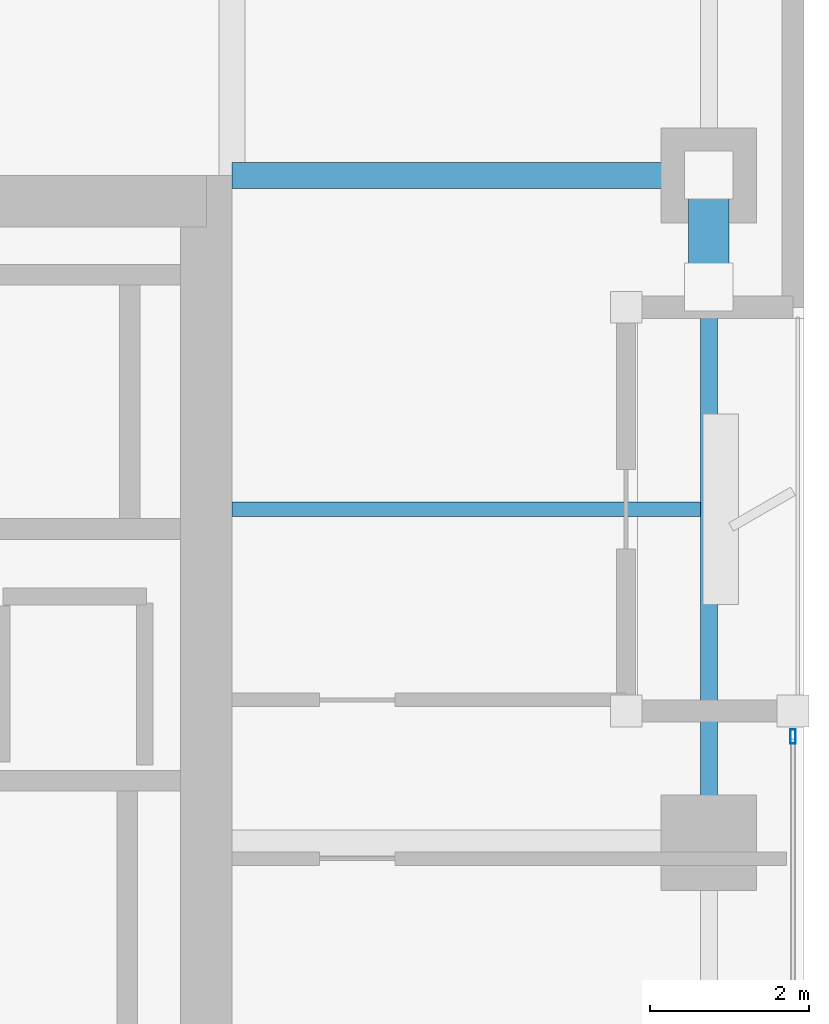
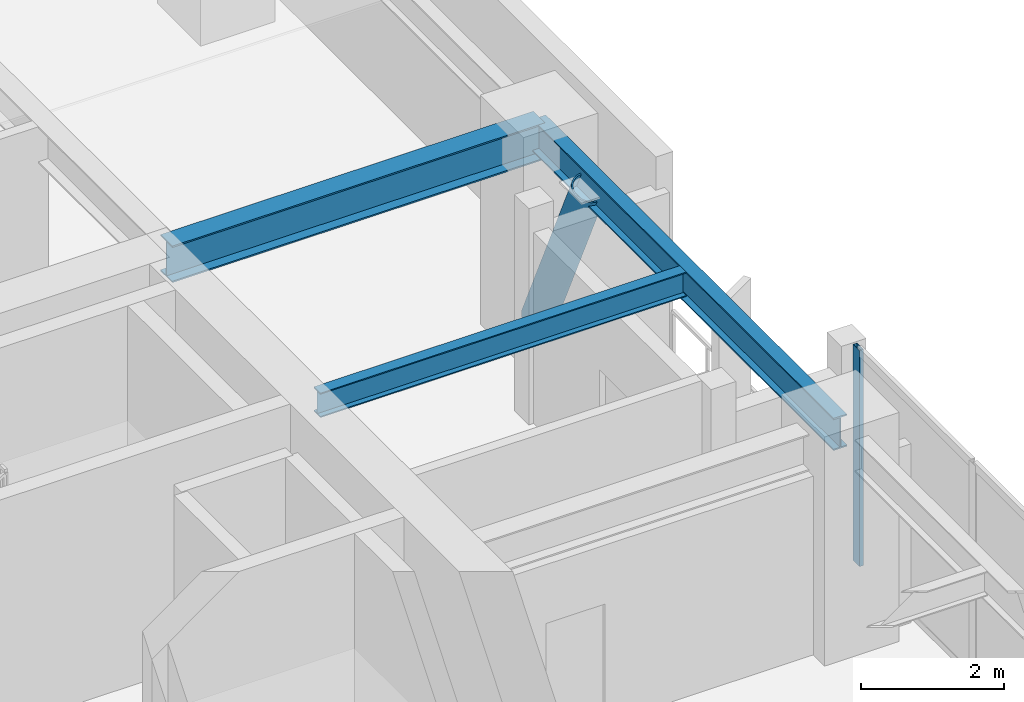
# One storey, part 11 of 30: 3 beams, 2 members, 1 element without a shape of its own.
"""IFC4 building model written with IfcOpenShell, lengths in metres."""

from ifc_helpers import new_model, si_unit, direction, frame, origin, origin_2d, place, context, subcontext, project, spatial, hollow_rectangle, hollow_circle, i_section, extrude, material, layer, layer_set, material_profile, profile_set, type_object, element, aggregate, save


model = new_model("IFC4")

# Units and contexts
model_context = context("Model", 3, precision=1e-05, world=origin(), true_north=direction((0.0, 1.0)))
body_context = subcontext(model_context, "Body", "Model", "MODEL_VIEW")
ifc_project = project(units=[si_unit("LENGTHUNIT", "METRE"), si_unit("AREAUNIT", "SQUARE_METRE"), si_unit("VOLUMEUNIT", "CUBIC_METRE"), si_unit("PLANEANGLEUNIT", "RADIAN"), si_unit("MASSUNIT", "GRAM", prefix="KILO")], contexts=[model_context])

# Site, building, storey
site_placement = place(None, origin())
site = spatial("IfcSite", under=ifc_project, at=site_placement, CompositionType="ELEMENT")
building_placement = place(site_placement, origin())
building = spatial("IfcBuilding", under=site, at=building_placement, Name="Kiyonajd Concourse Tower", CompositionType="ELEMENT")
storey_placement = place(building_placement, frame((0.0, 0.0, 190.199951171875)))
storey = spatial("IfcBuildingStorey", under=building, at=storey_placement, Name="L48", CompositionType="ELEMENT", Elevation=190.199951171875)

# Beams
ifc_material_1 = material(Name="Steel ASTM A992 Grade 50", Category="steel")
ifc_material_profile_1 = material_profile(ifc_material_1, i_section(OverallWidth=0.180908203125, OverallDepth=0.4169921875, WebThickness=0.010986328125, FlangeThickness=0.018310546875, at=origin_2d()), Name="W410X85")
ifc_profile_set_1 = profile_set([ifc_material_profile_1], Name="Steel ASTM A992 Grade 50")
beam_type_1 = type_object("IfcBeamType", Name="BM-JST-410", PredefinedType="JOIST", material=ifc_profile_set_1)
beam_1_placement = place(storey_placement, frame((63.60009765625, 40.199951171875, 3.471435546875), z_axis=(1.0, 0.0, 0.0), x_axis=(0.0, 1.0, 0.0)))
element("IfcBeam", 1, at=beam_1_placement, inside=storey, type_object=beam_type_1, Name="L48 East Secondary Floor Joist", PredefinedType="JOIST", context=body_context, shape_type="SweptSolid", body=[
    extrude(i_section(OverallWidth=0.180908203125, OverallDepth=0.4169921875, WebThickness=0.010986328125, FlangeThickness=0.018310546875, at=origin_2d()), origin(), (0.0, 0.0, 1.0), 5.892822265625),
])
ifc_material_profile_2 = material_profile(ifc_material_1, i_section(OverallWidth=0.214111328125, OverallDepth=0.549072265625, WebThickness=0.0146484375, FlangeThickness=0.023681640625, at=origin_2d()), Name="W530X138")
ifc_profile_set_2 = profile_set([ifc_material_profile_2], Name="Steel ASTM A992 Grade 50")
beam_type_2 = type_object("IfcBeamType", Name="BM-SPAN-530A", PredefinedType="SPANDREL", material=ifc_profile_set_2)
beam_2_placement = place(storey_placement, frame((69.60009765625, 36.0, 3.405517578125), z_axis=(0.0, 1.0, 0.0), x_axis=(-1.0, 0.0, 0.0)))
element("IfcBeam", 2, at=beam_2_placement, inside=storey, type_object=beam_type_2, Name="L48 Perimeter Bundled Tube Spandrel", PredefinedType="SPANDREL", context=body_context, shape_type="SweptSolid", body=[
    extrude(i_section(OverallWidth=0.214111328125, OverallDepth=0.549072265625, WebThickness=0.0146484375, FlangeThickness=0.023681640625, at=origin_2d()), origin(), (0.0, 0.0, 1.0), 8.39990234375),
])
ifc_material_profile_3 = material_profile(ifc_material_1, i_section(OverallWidth=0.326904296875, OverallDepth=0.6220703125, WebThickness=0.015380859375, FlangeThickness=0.0244140625, at=origin_2d()), Name="W610X195")
ifc_profile_set_3 = profile_set([ifc_material_profile_3], Name="Steel ASTM A992 Grade 50")
beam_type_3 = type_object("IfcBeamType", Name="BM-TWR-610A", PredefinedType="BEAM", material=ifc_profile_set_3)
beam_3_placement = place(storey_placement, frame((63.60009765625, 44.39990234375, 3.369140625), z_axis=(1.0, 0.0, 0.0), x_axis=(0.0, 1.0, 0.0)))
element("IfcBeam", 3, at=beam_3_placement, inside=storey, type_object=beam_type_3, Name="L48 East Lease Girder", PredefinedType="BEAM", context=body_context, shape_type="SweptSolid", body=[
    extrude(i_section(OverallWidth=0.326904296875, OverallDepth=0.6220703125, WebThickness=0.015380859375, FlangeThickness=0.0244140625, at=origin_2d()), origin(), (0.0, 0.0, 1.0), 6.0),
])

# Curtain wall, member
ifc_material_2 = material(Name="Thermally Broken Anodised Aluminium", Category="aluminium")
ifc_layer = layer(ifc_material_2, 0.179931640625)
ifc_layer_set = layer_set([ifc_layer], Name="Thermally Broken Anodised Aluminium")
curtain_wall_type = type_object("IfcCurtainWallType", Name="CW-SYS-03", PredefinedType="NOTDEFINED", material=ifc_layer_set)
curtain_wall_placement = place(storey_placement, origin())
curtain_wall = element("IfcCurtainWall", 4, at=curtain_wall_placement, inside=storey, type_object=curtain_wall_type, Name="L48 Unitised Curtain Wall CW3", PredefinedType="NOTDEFINED")
ifc_material_profile_4 = material_profile(ifc_material_2, hollow_rectangle(XDim=0.06494140625, YDim=0.179931640625, WallThickness=0.00390625, at=origin_2d()), Name="MULL-65x180")
ifc_profile_set_4 = profile_set([ifc_material_profile_4], Name="Thermally Broken Anodised Aluminium")
member_type_1 = type_object("IfcMemberType", Name="MB-CW-MULL1", PredefinedType="MULLION", material=ifc_profile_set_4)
member_1_placement = place(storey_placement, frame((70.659912109375, 37.33740234375, 0.0), z_axis=(0.0, 0.0, 1.0), x_axis=(1.0, 0.0, 0.0)))
member_1 = element("IfcMember", 5, at=member_1_placement, type_object=member_type_1, Name="CW3 mullion 1", PredefinedType="MULLION", context=body_context, shape_type="SweptSolid", body=[
    extrude(hollow_rectangle(XDim=0.06494140625, YDim=0.179931640625, WallThickness=0.00390625, at=origin_2d()), origin(), (0.0, 0.0, 1.0), 3.679931640625),
])
aggregate(curtain_wall, [member_1])

# Member
ifc_material_3 = material(Name="Steel ASTM A500 Grade C", Category="steel")
ifc_material_profile_5 = material_profile(ifc_material_3, hollow_circle(Radius=0.25390625, WallThickness=0.02197265625, at=origin_2d()), Name="CHS-508x22")
ifc_profile_set_5 = profile_set([ifc_material_profile_5], Name="Steel ASTM A500 Grade C")
member_type_2 = type_object("IfcMemberType", Name="MB-PB-MID", PredefinedType="BRACE", material=ifc_profile_set_5)
member_2_placement = place(storey_placement, frame((69.60009765625, 44.39990234375, 0.300048828125), z_axis=(0.0, -0.419410666774, 0.907796614114), x_axis=(1.0, 0.0, 0.0)))
element("IfcMember", 6, at=member_2_placement, inside=storey, type_object=member_type_2, Name="L48 Upper Zone Hollow Tube Brace PBE", PredefinedType="BRACE", context=body_context, shape_type="SweptSolid", body=[
    extrude(hollow_circle(Radius=0.25390625, WallThickness=0.02197265625, at=origin_2d()), origin(), (0.0, 0.0, 1.0), 3.337890625),
])

save(model, "model.ifc")
